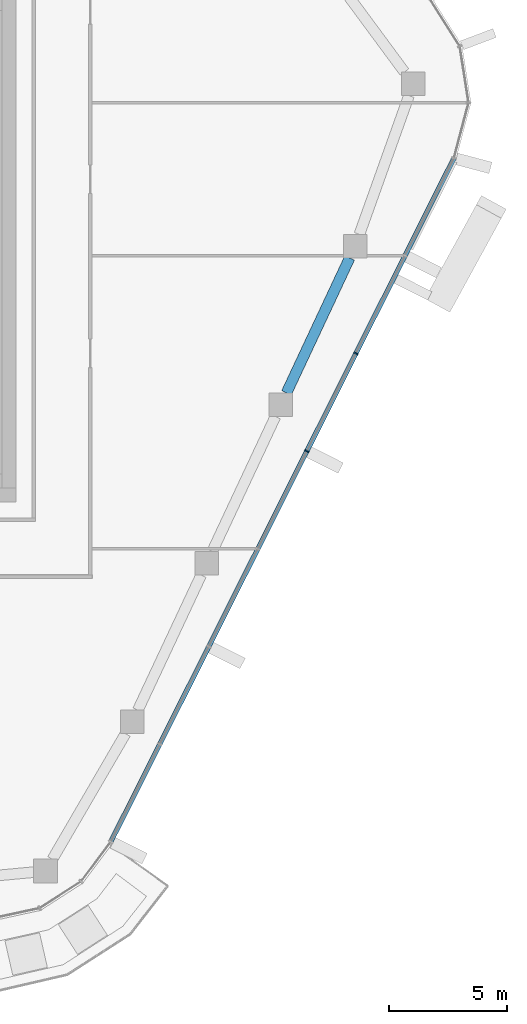
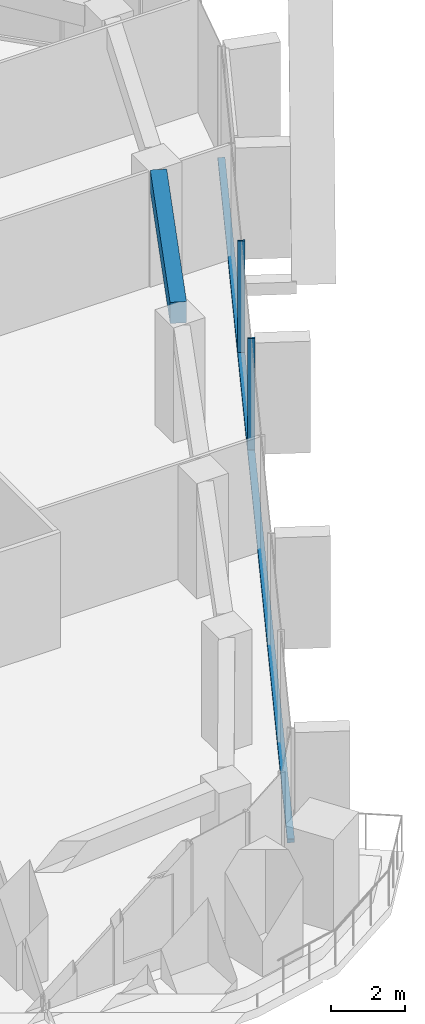
# One storey, part 5 of 24: 3 members, 1 beam, 1 element without a shape of its own.
"""IFC4 building model written with IfcOpenShell, lengths in metres."""

from ifc_helpers import new_model, si_unit, direction, frame, origin, origin_2d, place, context, subcontext, project, spatial, rectangle, extrude, material, layer, layer_set, material_profile, profile_set, type_object, element, aggregate, save


model = new_model("IFC4")

# Units and contexts
model_context = context("Model", 3, precision=1e-05, world=origin(), true_north=direction((0.0, 1.0)))
body_context = subcontext(model_context, "Body", "Model", "MODEL_VIEW")
ifc_project = project(units=[si_unit("LENGTHUNIT", "METRE"), si_unit("AREAUNIT", "SQUARE_METRE"), si_unit("VOLUMEUNIT", "CUBIC_METRE"), si_unit("PLANEANGLEUNIT", "RADIAN"), si_unit("MASSUNIT", "GRAM", prefix="KILO")], contexts=[model_context])

# Site, building, storey
site_placement = place(None, origin())
site = spatial("IfcSite", under=ifc_project, at=site_placement, CompositionType="ELEMENT")
building_placement = place(site_placement, origin())
building = spatial("IfcBuilding", under=site, at=building_placement, Name="Dongbaek Canopy Tower", CompositionType="ELEMENT")
storey_placement = place(building_placement, frame((0.0, 0.0, 311.0)))
storey = spatial("IfcBuildingStorey", under=building, at=storey_placement, Name="L66", CompositionType="ELEMENT", Elevation=311.0)

# Curtain wall, members
ifc_material_1 = material(Name="Aluminium 6063-T6 pale anodised", Category="aluminium")
ifc_layer = layer(ifc_material_1, 0.199951171875)
ifc_layer_set = layer_set([ifc_layer], Name="CW-1 unitised tower curtain wall")
curtain_wall_type = type_object("IfcCurtainWallType", Name="CW-1 unitised tower curtain wall", PredefinedType="NOTDEFINED", material=ifc_layer_set)
curtain_wall_placement = place(storey_placement, origin())
curtain_wall = element("IfcCurtainWall", 1, at=curtain_wall_placement, inside=storey, type_object=curtain_wall_type, Name="CW-1 curtain wall F5.1", PredefinedType="NOTDEFINED")
ifc_material_2 = material(Name="Aluminium 6063-T6 pale anodised", Category="aluminium")
ifc_material_profile_1 = material_profile(ifc_material_2, rectangle(XDim=0.199951171875, YDim=0.06005859375, at=origin_2d()), Name="CW-1 mullion 60 x 200")
ifc_profile_set_1 = profile_set([ifc_material_profile_1], Name="Aluminium 6063-T6 pale anodised")
member_type_1 = type_object("IfcMemberType", Name="CW-1 mullion 60 x 200", PredefinedType="MULLION", material=ifc_profile_set_1)
member_1_placement = place(storey_placement, frame((26.309326171875, -8.841064453125, 0.1201171875), z_axis=(0.0, 0.0, 1.0), x_axis=(0.893733414129, -0.448598466859, 0.0)))
member_1 = element("IfcMember", 2, at=member_1_placement, type_object=member_type_1, Name="CW-1 mullion F5.1.5", PredefinedType="MULLION", context=body_context, shape_type="SweptSolid", body=[
    extrude(rectangle(XDim=0.199951171875, YDim=0.06005859375, at=origin_2d()), origin(), (0.0, 0.0, 1.0), 3.699951171875),
])
member_2_placement = place(storey_placement, frame((28.38427734375, -4.707275390625, 0.1201171875), z_axis=(0.0, 0.0, 1.0), x_axis=(0.893733414129, -0.448598466859, 0.0)))
member_2 = element("IfcMember", 3, at=member_2_placement, type_object=member_type_1, Name="CW-1 mullion F5.1.6", PredefinedType="MULLION", context=body_context, shape_type="SweptSolid", body=[
    extrude(rectangle(XDim=0.199951171875, YDim=0.06005859375, at=origin_2d()), origin(), (0.0, 0.0, 1.0), 3.699951171875),
])
ifc_material_3 = material(Name="Aluminium 6063-T6 pale anodised", Category="aluminium")
ifc_material_profile_2 = material_profile(ifc_material_3, rectangle(XDim=0.199951171875, YDim=0.1201171875, at=origin_2d()), Name="CW-1 transom 120 x 200")
ifc_profile_set_2 = profile_set([ifc_material_profile_2], Name="Aluminium 6063-T6 pale anodised")
member_type_2 = type_object("IfcMemberType", Name="CW-1 transom 120 x 200", PredefinedType="USERDEFINED", material=ifc_profile_set_2)
member_3_placement = place(storey_placement, frame((18.013427734375, -25.36865234375, 0.06005859375), z_axis=(0.448601308033, 0.893731988032, 0.0), x_axis=(-0.893731988032, 0.448601308033, 0.0)))
member_3 = element("IfcMember", 4, at=member_3_placement, type_object=member_type_2, Name="CW-1 transom F5.1.1", ObjectType="TRANSOM", PredefinedType="USERDEFINED", context=body_context, shape_type="SweptSolid", body=[
    extrude(rectangle(XDim=0.199951171875, YDim=0.1201171875, at=origin_2d()), origin(), (0.0, 0.0, 1.0), 32.358642578125),
])
aggregate(curtain_wall, [member_1, member_2, member_3])

# Beam
ifc_material_4 = material(Name="Concrete C60", Category="concrete")
ifc_material_profile_3 = material_profile(ifc_material_4, rectangle(XDim=0.449951171875, YDim=0.699951171875, at=origin_2d()), Name="RC EDGE BEAM 450x700 C60")
ifc_profile_set_3 = profile_set([ifc_material_profile_3], Name="Concrete C60")
beam_type = type_object("IfcBeamType", Name="RC EDGE BEAM 450x700 C60", PredefinedType="BEAM", material=ifc_profile_set_3)
beam_placement = place(storey_placement, frame((28.116943359375, -0.669921875, 3.469970703125), z_axis=(-0.42401310583, -0.905656052861, 0.0), x_axis=(0.905656052861, -0.42401310583, 0.0)))
element("IfcBeam", 5, at=beam_placement, inside=storey, type_object=beam_type, Name="EDGEBEAM:L66:22", PredefinedType="BEAM", context=body_context, shape_type="SweptSolid", body=[
    extrude(rectangle(XDim=0.449951171875, YDim=0.699951171875, at=origin_2d()), origin(), (0.0, 0.0, 1.0), 6.3037109375),
])

save(model, "model.ifc")
